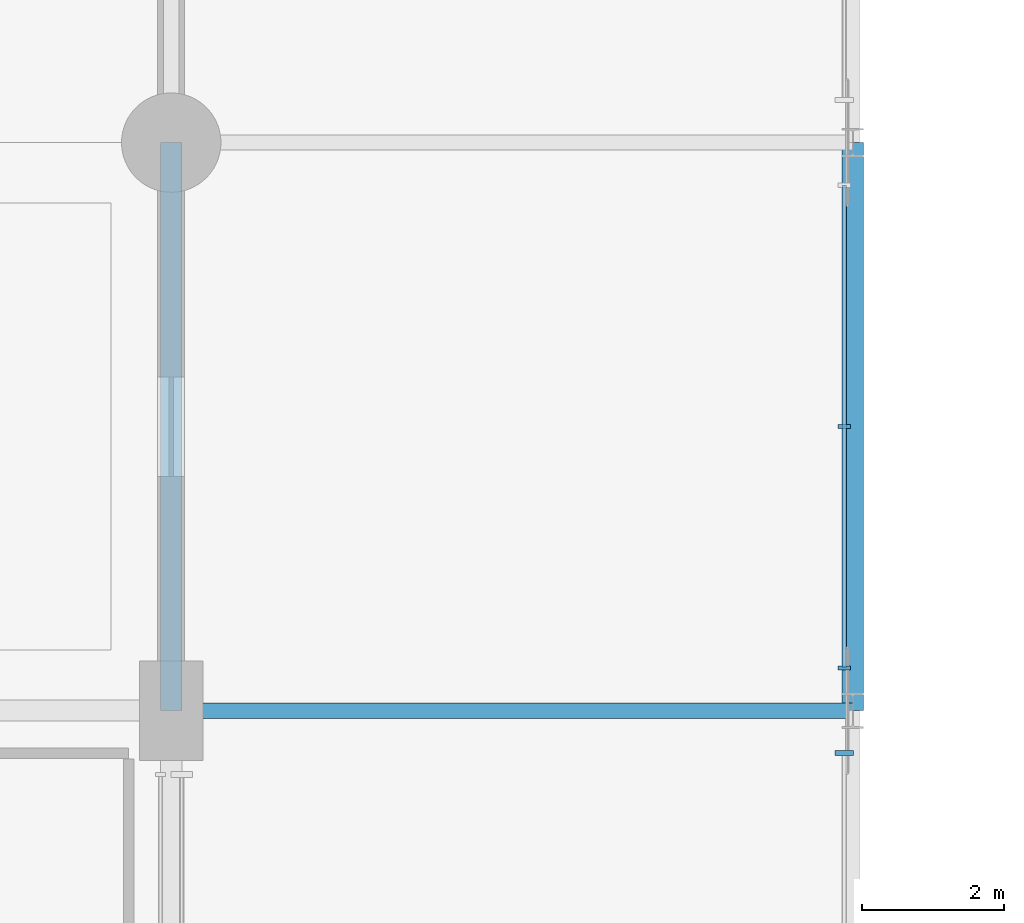
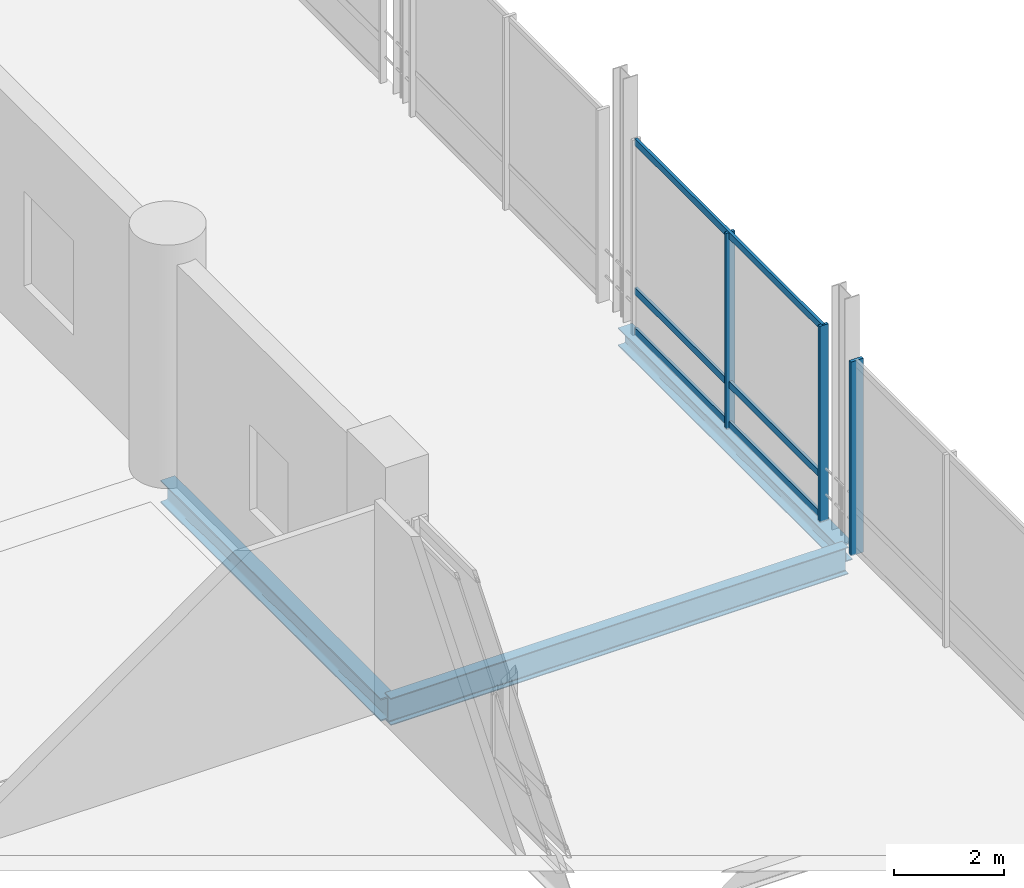
# One storey, part 47 of 129: 6 members, 3 beams, 2 elements without a shape of their own.
"""IFC4 building model written with IfcOpenShell, lengths in metres."""

from ifc_helpers import new_model, si_unit, direction, frame, origin, origin_2d, place, context, subcontext, project, spatial, rectangle, i_section, extrude, material, material_profile, profile_set, type_object, element, aggregate, save


model = new_model("IFC4")

# Units and contexts
model_context = context("Model", 3, precision=1e-05, world=origin(), true_north=direction((0.0, 1.0)))
body_context = subcontext(model_context, "Body", "Model", "MODEL_VIEW")
ifc_project = project(units=[si_unit("LENGTHUNIT", "METRE"), si_unit("AREAUNIT", "SQUARE_METRE"), si_unit("VOLUMEUNIT", "CUBIC_METRE"), si_unit("PLANEANGLEUNIT", "RADIAN"), si_unit("MASSUNIT", "GRAM", prefix="KILO")], contexts=[model_context])

# Site, building, storey
site_placement = place(None, origin())
site = spatial("IfcSite", under=ifc_project, at=site_placement, CompositionType="ELEMENT")
building_placement = place(site_placement, origin())
building = spatial("IfcBuilding", under=site, at=building_placement, Name="Danafjord Basin Convention Centre", CompositionType="ELEMENT")
storey_placement = place(building_placement, frame((0.0, 0.0, 6.0)))
storey = spatial("IfcBuildingStorey", under=building, at=storey_placement, Name="L01", CompositionType="ELEMENT", Elevation=6.0)

# Beams
ifc_material_1 = material(Name="Steel S355", Category="steel")
ifc_material_profile_1 = material_profile(ifc_material_1, i_section(OverallWidth=0.300048828125, OverallDepth=0.5, WebThickness=0.014404296875, FlangeThickness=0.028076171875, FilletRadius=0.027099609375, at=origin_2d()), Name="HEB 500")
ifc_profile_set_1 = profile_set([ifc_material_profile_1], Name="Steel S355")
beam_type_1 = type_object("IfcBeamType", Name="BEAM-BM-HEB500", PredefinedType="BEAM", material=ifc_profile_set_1)
beam_1_placement = place(storey_placement, frame((115.199951171875, 56.0, -0.5), z_axis=(0.0, 1.0, 0.0), x_axis=(-1.0, 0.0, 0.0)))
element("IfcBeam", 1, at=beam_1_placement, inside=storey, type_object=beam_type_1, Name="L01 transverse girder BM-HEB500", PredefinedType="BEAM", context=body_context, shape_type="SweptSolid", body=[
    extrude(i_section(OverallWidth=0.300048828125, OverallDepth=0.5, WebThickness=0.014404296875, FlangeThickness=0.028076171875, FilletRadius=0.027099609375, at=origin_2d()), origin(), (0.0, 0.0, 1.0), 8.0),
])
ifc_material_profile_2 = material_profile(ifc_material_1, i_section(OverallWidth=0.219970703125, OverallDepth=0.60009765625, WebThickness=0.011962890625, FlangeThickness=0.01904296875, FilletRadius=0.02392578125, at=origin_2d()), Name="IPE 600")
ifc_profile_set_2 = profile_set([ifc_material_profile_2], Name="Steel S355")
beam_type_2 = type_object("IfcBeamType", Name="BEAM-BM-IPE600", PredefinedType="BEAM", material=ifc_profile_set_2)
beam_2_placement = place(storey_placement, frame((115.199951171875, 56.0, -0.530029296875), z_axis=(1.0, 0.0, 0.0), x_axis=(0.0, 1.0, 0.0)))
element("IfcBeam", 2, at=beam_2_placement, inside=storey, type_object=beam_type_2, Name="L01 girder BM-IPE600", PredefinedType="BEAM", context=body_context, shape_type="SweptSolid", body=[
    extrude(i_section(OverallWidth=0.219970703125, OverallDepth=0.60009765625, WebThickness=0.011962890625, FlangeThickness=0.01904296875, FilletRadius=0.02392578125, at=origin_2d()), origin(), (0.0, 0.0, 1.0), 9.60009765625),
])
ifc_material_profile_3 = material_profile(ifc_material_1, i_section(OverallWidth=0.300048828125, OverallDepth=0.39990234375, WebThickness=0.013427734375, FlangeThickness=0.02392578125, FilletRadius=0.027099609375, at=origin_2d()), Name="HEB 400")
ifc_profile_set_3 = profile_set([ifc_material_profile_3], Name="Steel S355")
beam_type_3 = type_object("IfcBeamType", Name="BEAM-SP-HEB400", PredefinedType="SPANDREL", material=ifc_profile_set_3)
beam_3_placement = place(storey_placement, frame((124.800048828125, 56.0, -0.429931640625), z_axis=(0.0, 1.0, 0.0), x_axis=(-1.0, 0.0, 0.0)))
element("IfcBeam", 3, at=beam_3_placement, inside=storey, type_object=beam_type_3, Name="L01 transverse girder SP-HEB400", PredefinedType="SPANDREL", context=body_context, shape_type="SweptSolid", body=[
    extrude(i_section(OverallWidth=0.300048828125, OverallDepth=0.39990234375, WebThickness=0.013427734375, FlangeThickness=0.02392578125, FilletRadius=0.027099609375, at=origin_2d()), origin(), (0.0, 0.0, 1.0), 8.0),
])

# Curtain wall, members
ifc_material_2 = material(Name="Anodised aluminium and triple glazing", Category="aluminium")
curtain_wall_type = type_object("IfcCurtainWallType", Name="CW-CW-BRIDGE", PredefinedType="NOTDEFINED", material=ifc_material_2)
curtain_wall_1_placement = place(storey_placement, origin())
curtain_wall_1 = element("IfcCurtainWall", 4, at=curtain_wall_1_placement, inside=storey, type_object=curtain_wall_type, Name="L01 CW-BRIDGE unitised curtain wall bay 166", PredefinedType="NOTDEFINED")
ifc_material_3 = material(Name="Anodised aluminium EN AW-6060", Category="aluminium")
ifc_material_profile_4 = material_profile(ifc_material_3, rectangle(XDim=0.06005859375, YDim=0.179931640625, at=origin_2d()), Name="MULL 60x180")
ifc_profile_set_4 = profile_set([ifc_material_profile_4], Name="Anodised aluminium EN AW-6060")
member_type_1 = type_object("IfcMemberType", Name="MEM-ML-180", PredefinedType="MULLION", material=ifc_profile_set_4)
member_1_placement = place(storey_placement, frame((124.679931640625, 56.60009765625, -0.02490234375), z_axis=(0.0, 0.0, 1.0), x_axis=(0.0, 1.0, 0.0)))
member_1 = element("IfcMember", 5, at=member_1_placement, type_object=member_type_1, Name="CW-L01-166 mullion 1", PredefinedType="MULLION", context=body_context, shape_type="SweptSolid", body=[
    extrude(rectangle(XDim=0.06005859375, YDim=0.179931640625, at=origin_2d()), origin(), (0.0, 0.0, 1.0), 4.349853515625),
])
member_2_placement = place(storey_placement, frame((124.679931640625, 60.0, -0.02490234375), z_axis=(0.0, 0.0, 1.0), x_axis=(0.0, 1.0, 0.0)))
member_2 = element("IfcMember", 6, at=member_2_placement, type_object=member_type_1, Name="CW-L01-166 mullion 2", PredefinedType="MULLION", context=body_context, shape_type="SweptSolid", body=[
    extrude(rectangle(XDim=0.06005859375, YDim=0.179931640625, at=origin_2d()), origin(), (0.0, 0.0, 1.0), 4.349853515625),
])

# Curtain wall, member
curtain_wall_2_placement = place(storey_placement, origin())
curtain_wall_2 = element("IfcCurtainWall", 7, at=curtain_wall_2_placement, inside=storey, type_object=curtain_wall_type, Name="L01 CW-BRIDGE unitised curtain wall bay 163", PredefinedType="NOTDEFINED")
ifc_material_profile_5 = material_profile(ifc_material_3, rectangle(XDim=0.070068359375, YDim=0.260009765625, at=origin_2d()), Name="MULL 70x260")
ifc_profile_set_5 = profile_set([ifc_material_profile_5], Name="Anodised aluminium EN AW-6060")
member_type_2 = type_object("IfcMemberType", Name="MEM-ML-260", PredefinedType="MULLION", material=ifc_profile_set_5)
member_3_placement = place(storey_placement, frame((124.679931640625, 55.39990234375, -0.02490234375), z_axis=(0.0, 0.0, 1.0), x_axis=(0.0, 1.0, 0.0)))
member_3 = element("IfcMember", 8, at=member_3_placement, type_object=member_type_2, Name="CW-L01-163 mullion 3", PredefinedType="MULLION", context=body_context, shape_type="SweptSolid", body=[
    extrude(rectangle(XDim=0.070068359375, YDim=0.260009765625, at=origin_2d()), origin(), (0.0, 0.0, 1.0), 4.2998046875),
])
aggregate(curtain_wall_2, [member_3])

# Member
ifc_material_profile_6 = material_profile(ifc_material_3, rectangle(XDim=0.06005859375, YDim=0.14990234375, at=origin_2d()), Name="TRAN 60x150")
ifc_profile_set_6 = profile_set([ifc_material_profile_6], Name="Anodised aluminium EN AW-6060")
member_type_3 = type_object("IfcMemberType", Name="MEM-TR-150", PredefinedType="USERDEFINED", material=ifc_profile_set_6)
member_4_placement = place(storey_placement, frame((124.679931640625, 56.60009765625, 0.06005859375), z_axis=(0.0, 1.0, 0.0), x_axis=(-1.0, 0.0, 0.0)))
member_4 = element("IfcMember", 9, at=member_4_placement, type_object=member_type_3, Name="CW-L01-166 transom 1", ObjectType="TRANSOM", PredefinedType="USERDEFINED", context=body_context, shape_type="SweptSolid", body=[
    extrude(rectangle(XDim=0.06005859375, YDim=0.14990234375, at=origin_2d()), origin(), (0.0, 0.0, 1.0), 6.7998046875),
])

member_5_placement = place(storey_placement, frame((124.679931640625, 56.60009765625, 0.949951171875), z_axis=(0.0, 1.0, 0.0), x_axis=(-1.0, 0.0, 0.0)))
member_5 = element("IfcMember", 10, at=member_5_placement, type_object=member_type_3, Name="CW-L01-166 transom 2", ObjectType="TRANSOM", PredefinedType="USERDEFINED", context=body_context, shape_type="SweptSolid", body=[
    extrude(rectangle(XDim=0.06005859375, YDim=0.14990234375, at=origin_2d()), origin(), (0.0, 0.0, 1.0), 6.7998046875),
])

member_6_placement = place(storey_placement, frame((124.679931640625, 56.60009765625, 4.2548828125), z_axis=(0.0, 1.0, 0.0), x_axis=(-1.0, 0.0, 0.0)))
member_6 = element("IfcMember", 11, at=member_6_placement, type_object=member_type_3, Name="CW-L01-166 transom 3", ObjectType="TRANSOM", PredefinedType="USERDEFINED", context=body_context, shape_type="SweptSolid", body=[
    extrude(rectangle(XDim=0.06005859375, YDim=0.14990234375, at=origin_2d()), origin(), (0.0, 0.0, 1.0), 6.7998046875),
])

aggregate(curtain_wall_1, [member_1, member_2, member_4, member_5, member_6])

save(model, "model.ifc")
